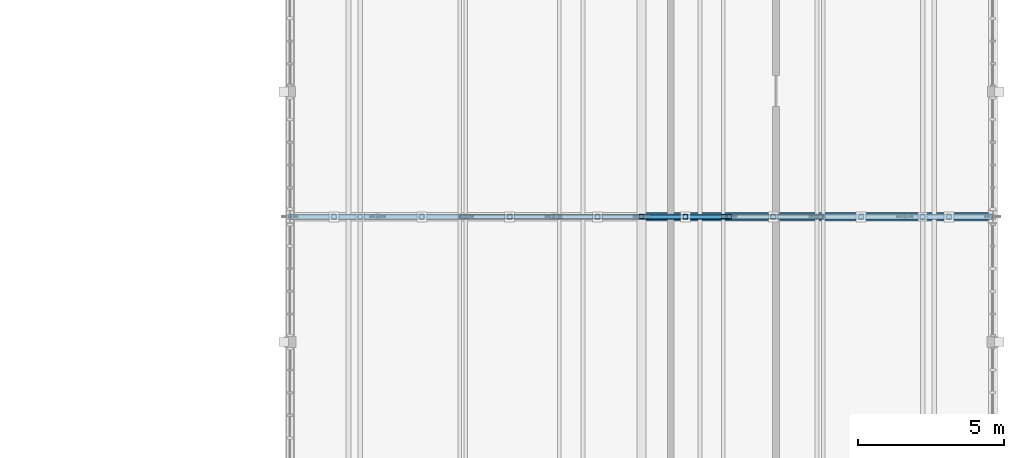
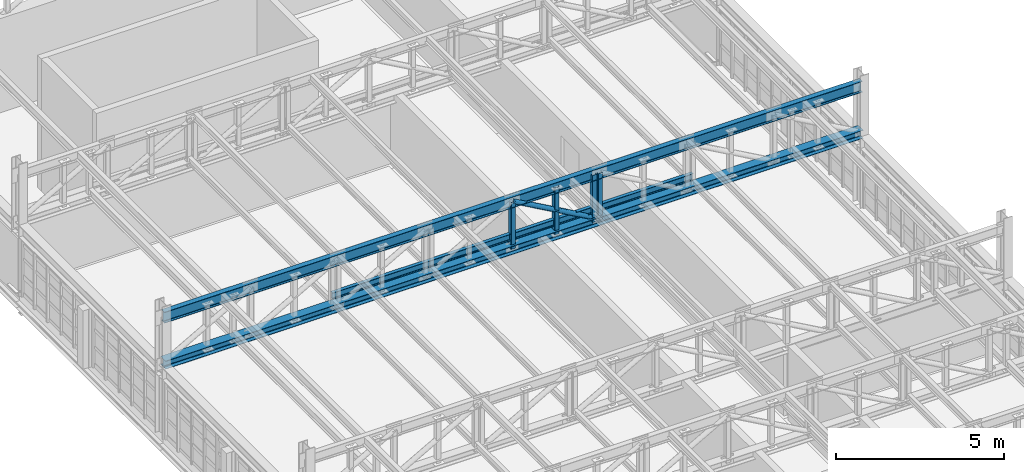
# One storey, part 53 of 128: 8 members.
"""IFC4 building model written with IfcOpenShell, lengths in metres."""

import ifcopenshell
import ifcopenshell.guid

model = None  # the IFC model being written
_history = None  # IfcOwnerHistory: only IFC2X3 demands one
_inside = {}  # id of a spatial element -> (the spatial element, [elements in it])
_under = {}  # id of a project, library or spatial element -> (it, [spatial elements below it])
_declared = {}  # id of a project -> (the project, [libraries it declares])
_typed = {}  # id of a type object -> (the type object, [elements of that type])
_made_of = {}  # id of a material, layer set ... -> (it, [elements and type objects made of it])


def new_model(schema):
    """Start an empty IFC model of exactly this schema.

    Asked for "IFC4X3", IfcOpenShell would pick the latest addendum, in which some entities
    have other attributes; the version numbers below select the first issue.
    IFC2X3 requires an IfcOwnerHistory on every rooted entity: one is made here for all.
    """
    global model, _history
    if schema == "IFC4X3":
        model = ifcopenshell.file(schema_version=(4, 3, 0, 0))
    else:
        model = ifcopenshell.file(schema=schema)
    _inside.clear()
    _under.clear()
    _declared.clear()
    _typed.clear()
    _made_of.clear()
    _history = None
    if model.schema == "IFC2X3":
        org = make("IfcOrganization", Name="unknown")
        user = make(
            "IfcPersonAndOrganization",
            ThePerson=make("IfcPerson", FamilyName="unknown"),
            TheOrganization=org,
        )
        app = make(
            "IfcApplication",
            ApplicationDeveloper=org,
            Version="unknown",
            ApplicationFullName="unknown",
            ApplicationIdentifier="unknown",
        )
        _history = make(
            "IfcOwnerHistory",
            OwningUser=user,
            OwningApplication=app,
            ChangeAction="ADDED",
            CreationDate=0,
        )
    return model


def make(cls, **values):
    """One entity of the class cls with the attributes given. An attribute that is None is left unset."""
    return model.create_entity(
        cls, **{name: value for name, value in values.items() if value is not None}
    )


def rooted(cls, **values):
    """An entity with a GlobalId (a new one), such as an element, a storey or a relation."""
    return make(cls, GlobalId=ifcopenshell.guid.new(), OwnerHistory=_history, **values)


def si_unit(unit_type, name, prefix=None):
    """IfcSIUnit, for example si_unit("LENGTHUNIT", "METRE", prefix="MILLI")."""
    return make("IfcSIUnit", UnitType=unit_type, Prefix=prefix, Name=name)


def assignment(units):
    """IfcUnitAssignment: the units of a project."""
    return None if units is None else make("IfcUnitAssignment", Units=units)


def point(xyz):
    """IfcCartesianPoint."""
    return None if xyz is None else make("IfcCartesianPoint", Coordinates=xyz)


def direction(xyz):
    """IfcDirection."""
    return None if xyz is None else make("IfcDirection", DirectionRatios=xyz)


def frame(location, z_axis=None, x_axis=None):
    """IfcAxis2Placement3D, a coordinate frame: its origin and axes. An axis left out is left unset."""
    return make(
        "IfcAxis2Placement3D",
        Location=point(location),
        Axis=direction(z_axis),
        RefDirection=direction(x_axis),
    )


def frame_2d(location, x_axis=None):
    """IfcAxis2Placement2D, a coordinate frame in the plane: its origin and x axis."""
    return make(
        "IfcAxis2Placement2D", Location=point(location), RefDirection=direction(x_axis)
    )


def origin():
    """The frame at (0, 0, 0) with its axes left unset."""
    return frame((0.0, 0.0, 0.0))


def origin_2d():
    """The frame at (0, 0) in the plane with its x axis left unset."""
    return frame_2d((0.0, 0.0))


def place(relative_to, where):
    """IfcLocalPlacement: puts the frame where relative to a parent placement (None: the world)."""
    return make(
        "IfcLocalPlacement", PlacementRelTo=relative_to, RelativePlacement=where
    )


def context(
    kind, dimensions, precision=None, world=None, true_north=None, identifier=None
):
    """IfcGeometricRepresentationContext, for example the 3D "Model" context."""
    return make(
        "IfcGeometricRepresentationContext",
        ContextIdentifier=identifier,
        ContextType=kind,
        CoordinateSpaceDimension=dimensions,
        Precision=precision,
        WorldCoordinateSystem=world,
        TrueNorth=true_north,
    )


def subcontext(parent, identifier, kind, view, scale=None):
    """IfcGeometricRepresentationSubContext, for example "Body" below "Model"."""
    return make(
        "IfcGeometricRepresentationSubContext",
        ContextIdentifier=identifier,
        ContextType=kind,
        ParentContext=parent,
        TargetScale=scale,
        TargetView=view,
    )


def project(units=None, contexts=None):
    """IfcProject with its units and contexts."""
    return rooted(
        "IfcProject",
        Name="project",
        RepresentationContexts=contexts,
        UnitsInContext=assignment(units),
    )


def spatial(cls, under=None, at=None, **own):
    """A site, building, storey or space (cls), placed at a placement, below another one or the project."""
    s = rooted(cls, ObjectPlacement=at, **own)
    if under is not None:
        _under.setdefault(under.id(), (under, []))[1].append(s)
    return s


def profile(cls, at=None, kind="AREA", **sizes):
    """A parametric profile (cls). Its sizes go by their IFC names, for example OverallWidth=200.0."""
    return make(cls, ProfileType=kind, Position=at, **sizes)


def hollow_rectangle(**sizes):
    """IfcRectangleHollowProfileDef."""
    return profile("IfcRectangleHollowProfileDef", **sizes)


def hollow_circle(**sizes):
    """IfcCircleHollowProfileDef."""
    return profile("IfcCircleHollowProfileDef", **sizes)


def i_section(**sizes):
    """IfcIShapeProfileDef."""
    return profile("IfcIShapeProfileDef", **sizes)


def extrude(swept, where, along, depth):
    """IfcExtrudedAreaSolid: the profile swept, set in the frame where, extruded along a direction by depth."""
    return make(
        "IfcExtrudedAreaSolid",
        SweptArea=swept,
        Position=where,
        ExtrudedDirection=direction(along),
        Depth=depth,
    )


def shape(context_of_items, identifier, shape_type, items):
    """IfcShapeRepresentation: the items that make up one representation, for example the "Body"."""
    return make(
        "IfcShapeRepresentation",
        ContextOfItems=context_of_items,
        RepresentationIdentifier=identifier,
        RepresentationType=shape_type,
        Items=items,
    )


def material(Name=None, Category=None):
    """IfcMaterial."""
    return make("IfcMaterial", Name=Name, Category=Category)


def material_profile(
    of_material, cross_section, Name=None, Category=None, Priority=None
):
    """IfcMaterialProfile: a cross section and its material."""
    return make(
        "IfcMaterialProfile",
        Name=Name,
        Material=of_material,
        Profile=cross_section,
        Priority=Priority,
        Category=Category,
    )


def profile_set(profiles, Name=None, composite=None):
    """IfcMaterialProfileSet."""
    return make(
        "IfcMaterialProfileSet",
        Name=Name,
        MaterialProfiles=profiles,
        CompositeProfile=composite,
    )


def made_of(thing, what):
    """Note that an element or type object is made of a material, layer set ...; save() writes the relation."""
    if what is not None:
        _made_of.setdefault(what.id(), (what, []))[1].append(thing)
    return thing


def type_object(cls, material=None, **own):
    """A type object (cls), such as IfcWallType, which elements share."""
    return made_of(rooted(cls, **own), material)


def element(
    cls,
    number,
    at=None,
    inside=None,
    cuts=None,
    type_object=None,
    material=None,
    context=None,
    identifier="Body",
    shape_type=None,
    held_by="IfcProductDefinitionShape",
    body=None,
    shapes=None,
    **own,
):
    """One element of the class cls, such as IfcWall. Its Tag is "e" and its number.

    at: its placement. inside: the storey or other place that contains it. cuts: it is an
    opening in that element (IfcRelVoidsElement). A single representation is given by context,
    identifier, shape_type and body (its items); several are given by shapes. held_by: the class
    of the entity that holds the representations. save() writes the other relations.
    """
    e = rooted(cls, Tag="e%d" % number, ObjectPlacement=at, **own)
    if body is not None:
        shapes = [shape(context, identifier, shape_type, body)]
    if shapes is not None:
        e.Representation = make(held_by, Representations=shapes)
    if inside is not None:
        _inside.setdefault(inside.id(), (inside, []))[1].append(e)
    if cuts is not None:
        rooted(
            "IfcRelVoidsElement", RelatingBuildingElement=cuts, RelatedOpeningElement=e
        )
    if type_object is not None:
        _typed.setdefault(type_object.id(), (type_object, []))[1].append(e)
    return made_of(e, material)


def aggregate(whole, parts):
    """IfcRelAggregates: a whole, such as a stair, and the parts it consists of."""
    return rooted("IfcRelAggregates", RelatingObject=whole, RelatedObjects=parts)


def save(model, path):
    """Write the relations noted so far, then the file.

    IfcRelAggregates (storeys below a building ...), IfcRelContainedInSpatialStructure (elements
    in a storey), IfcRelDefinesByType, IfcRelAssociatesMaterial and IfcRelDeclares: one each for
    every whole, place, type object, material and project.
    """
    for whole, parts in _under.values():
        aggregate(whole, parts)
    for where, things in _inside.values():
        rooted(
            "IfcRelContainedInSpatialStructure",
            RelatedElements=things,
            RelatingStructure=where,
        )
    for kind, things in _typed.values():
        rooted("IfcRelDefinesByType", RelatedObjects=things, RelatingType=kind)
    for what, things in _made_of.values():
        rooted("IfcRelAssociatesMaterial", RelatedObjects=things, RelatingMaterial=what)
    for by, libraries in _declared.values():
        rooted("IfcRelDeclares", RelatingContext=by, RelatedDefinitions=libraries)
    model.write(path)


model = new_model("IFC4")

# Units and contexts
model_context = context("Model", 3, precision=1e-05, world=origin(), true_north=direction((0.0, 1.0)))
body_context = subcontext(model_context, "Body", "Model", "MODEL_VIEW")
ifc_project = project(units=[si_unit("LENGTHUNIT", "METRE"), si_unit("AREAUNIT", "SQUARE_METRE"), si_unit("VOLUMEUNIT", "CUBIC_METRE"), si_unit("PLANEANGLEUNIT", "RADIAN"), si_unit("MASSUNIT", "GRAM", prefix="KILO")], contexts=[model_context])

# Site, building, storey
site_placement = place(None, origin())
site = spatial("IfcSite", under=ifc_project, at=site_placement, CompositionType="ELEMENT")
building_placement = place(site_placement, origin())
building = spatial("IfcBuilding", under=site, at=building_placement, Name="Serraforn Aerial Cableway Station", CompositionType="ELEMENT")
storey_placement = place(building_placement, frame((0.0, 0.0, 9.0)))
storey = spatial("IfcBuildingStorey", under=building, at=storey_placement, Name="L02", CompositionType="ELEMENT", Elevation=9.0)

# Members
ifc_material = material(Name="Steel S355J2", Category="steel")
ifc_material_profile_1 = material_profile(ifc_material, i_section(OverallWidth=0.300048828125, OverallDepth=0.300048828125, WebThickness=0.008544921875, FlangeThickness=0.013916015625, FilletRadius=0.027099609375, at=origin_2d()), Name="HEA 300")
ifc_profile_set_1 = profile_set([ifc_material_profile_1], Name="Steel S355J2")
member_type_1 = type_object("IfcMemberType", Name="MEM-BC-HEA300", PredefinedType="CHORD", material=ifc_profile_set_1)
member_1_placement = place(storey_placement, frame((144.0, 96.89990234375, 2.60009765625), z_axis=(1.0, 0.0, 0.0), x_axis=(0.0, 1.0, 0.0)))
element("IfcMember", 1, at=member_1_placement, inside=storey, type_object=member_type_1, Name="Garage Truss GT-10 Bottom Chord", PredefinedType="CHORD", context=body_context, shape_type="SweptSolid", body=[
    extrude(i_section(OverallWidth=0.300048828125, OverallDepth=0.300048828125, WebThickness=0.008544921875, FlangeThickness=0.013916015625, FilletRadius=0.027099609375, at=origin_2d()), origin(), (0.0, 0.0, 1.0), 24.0),
])
ifc_material_profile_2 = material_profile(ifc_material, hollow_circle(Radius=0.084228515625, WallThickness=0.008056640625, at=origin_2d()), Name="CHS 168.3x8.0")
ifc_profile_set_2 = profile_set([ifc_material_profile_2], Name="Steel S355J2")
member_type_2 = type_object("IfcMemberType", Name="MEM-DG-CHS168", PredefinedType="BRACE", material=ifc_profile_set_2)
member_2_placement = place(storey_placement, frame((156.0, 96.89990234375, 4.2900390625), z_axis=(0.871272396707, 0.0, -0.490799766439), x_axis=(0.0, 1.0, 0.0)))
element("IfcMember", 2, at=member_2_placement, inside=storey, type_object=member_type_2, Name="Garage Truss GT-10 Diagonal 5", PredefinedType="BRACE", context=body_context, shape_type="SweptSolid", body=[
    extrude(hollow_circle(Radius=0.084228515625, WallThickness=0.008056640625, at=origin_2d()), origin(), (0.0, 0.0, 1.0), 3.443359375),
])
ifc_material_profile_3 = material_profile(ifc_material, i_section(OverallWidth=0.1201171875, OverallDepth=0.239990234375, WebThickness=0.006103515625, FlangeThickness=0.009765625, FilletRadius=0.014892578125, at=origin_2d()), Name="IPE 240")
ifc_profile_set_3 = profile_set([ifc_material_profile_3], Name="Steel S355J2")
member_type_3 = type_object("IfcMemberType", Name="MEM-RL-IPE240", PredefinedType="USERDEFINED", material=ifc_profile_set_3)
member_3_placement = place(storey_placement, frame((149.800048828125, 96.89990234375, 3.02001953125), z_axis=(1.0, 0.0, 0.0), x_axis=(0.0, 1.0, 0.0)))
element("IfcMember", 3, at=member_3_placement, inside=storey, type_object=member_type_3, Name="Overhead Cabin Turnaround Loop Rail 2", ObjectType="OVERHEAD TRACK RAIL", PredefinedType="USERDEFINED", context=body_context, shape_type="SweptSolid", body=[
    extrude(i_section(OverallWidth=0.1201171875, OverallDepth=0.239990234375, WebThickness=0.006103515625, FlangeThickness=0.009765625, FilletRadius=0.014892578125, at=origin_2d()), origin(), (0.0, 0.0, 1.0), 12.39990234375),
])
ifc_material_profile_4 = material_profile(ifc_material, i_section(OverallWidth=0.179931640625, OverallDepth=0.39990234375, WebThickness=0.008544921875, FlangeThickness=0.013427734375, FilletRadius=0.02099609375, at=origin_2d()), Name="IPE 400")
ifc_profile_set_4 = profile_set([ifc_material_profile_4], Name="Steel S355J2")
member_type_4 = type_object("IfcMemberType", Name="MEM-TC-IPE400", PredefinedType="CHORD", material=ifc_profile_set_4)
member_4_placement = place(storey_placement, frame((144.0, 96.89990234375, 4.2900390625), z_axis=(1.0, 0.0, 0.0), x_axis=(0.0, 1.0, 0.0)))
element("IfcMember", 4, at=member_4_placement, inside=storey, type_object=member_type_4, Name="Garage Truss GT-10 Top Chord", PredefinedType="CHORD", context=body_context, shape_type="SweptSolid", body=[
    extrude(i_section(OverallWidth=0.179931640625, OverallDepth=0.39990234375, WebThickness=0.008544921875, FlangeThickness=0.013427734375, FilletRadius=0.02099609375, at=origin_2d()), origin(), (0.0, 0.0, 1.0), 24.0),
])
ifc_material_profile_5 = material_profile(ifc_material, hollow_rectangle(XDim=0.159912109375, YDim=0.159912109375, WallThickness=0.008056640625, InnerFilletRadius=0.008056640625, OuterFilletRadius=0.01611328125, at=origin_2d()), Name="SHS 160x160x8.0")
ifc_profile_set_5 = profile_set([ifc_material_profile_5], Name="Steel S355J2")
member_type_5 = type_object("IfcMemberType", Name="MEM-VP-SHS160", PredefinedType="STRUT", material=ifc_profile_set_5)
for number, where, z_axis, x_axis, name in (
    (5, (156.0, 96.89990234375, 2.590087890625), (0.0, 0.0, 1.0), (1.0, 0.0, 0.0), "Garage Truss GT-10 Post 5"),
    (6, (159.0, 96.89990234375, 2.590087890625), (0.0, 0.0, 1.0), (1.0, 0.0, 0.0), "Garage Truss GT-10 Post 6"),
    (7, (158.800048828125, 96.89990234375, 2.590087890625), (0.0, 0.0, 1.0), (1.0, 0.0, 0.0), "Overhead Rail Suspension Post 052"),
    (8, (157.5, 96.89990234375, 2.590087890625), (0.0, 0.0, 1.0), (1.0, 0.0, 0.0), "Garage Truss GT-10 Sub-Vertical 5"),
):
    element("IfcMember", number, at=place(storey_placement, frame(where, z_axis=z_axis, x_axis=x_axis)), inside=storey, type_object=member_type_5, Name=name, PredefinedType="STRUT", context=body_context, shape_type="SweptSolid", body=[
        extrude(hollow_rectangle(XDim=0.159912109375, YDim=0.159912109375, WallThickness=0.008056640625, InnerFilletRadius=0.008056640625, OuterFilletRadius=0.01611328125, at=origin_2d()), origin(), (0.0, 0.0, 1.0), 1.7099609375),
    ])

save(model, "model.ifc")
